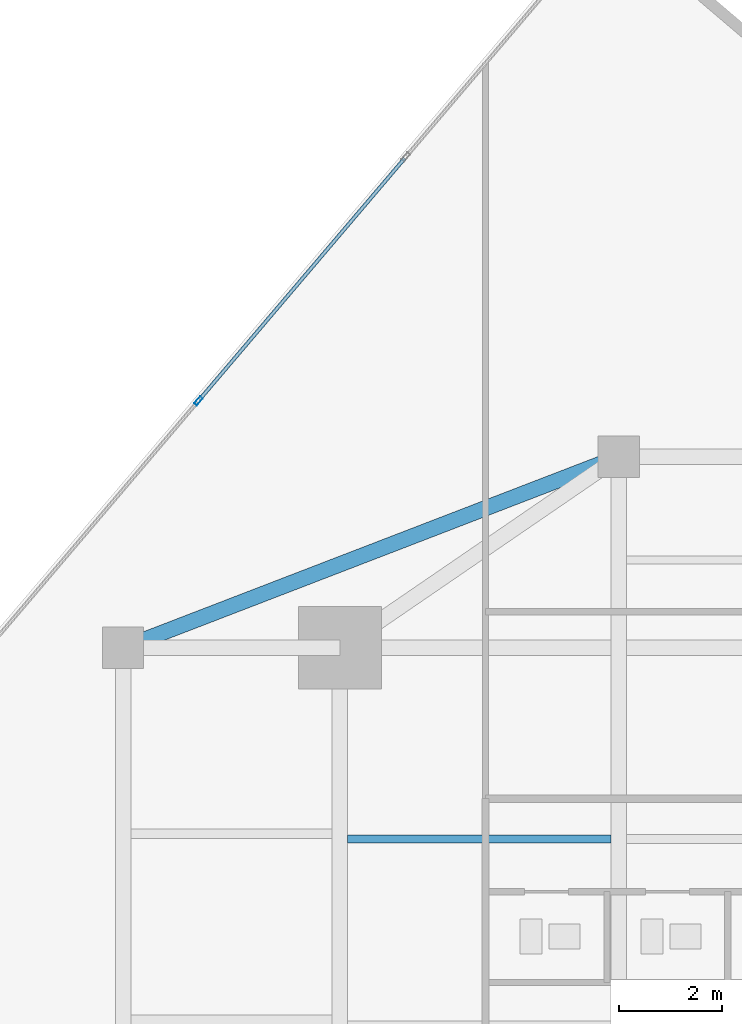
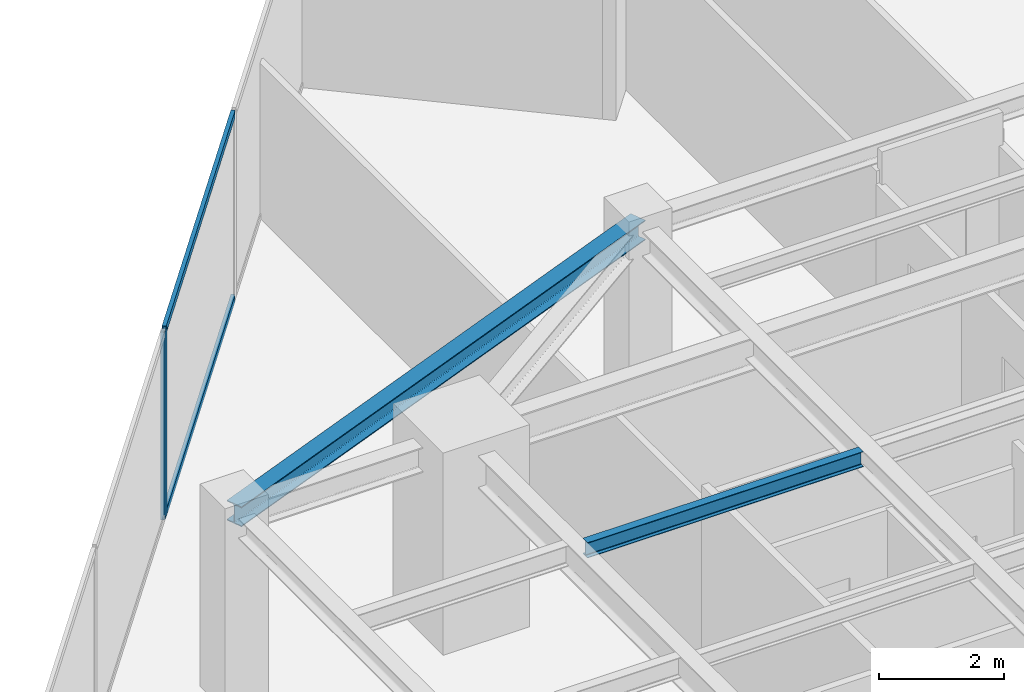
# One storey, part 15 of 25: 3 members, 2 beams, 1 element without a shape of its own.
"""IFC4 building model written with IfcOpenShell, lengths in metres."""

from ifc_helpers import new_model, si_unit, direction, frame, origin, origin_2d, place, context, subcontext, project, spatial, hollow_rectangle, i_section, extrude, source, transform, mapped, material, material_profile, profile_set, type_object, type_shapes, element, aggregate, save


model = new_model("IFC4")

# Units and contexts
model_context = context("Model", 3, precision=1e-05, world=origin(), true_north=direction((0.0, 1.0)))
body_context = subcontext(model_context, "Body", "Model", "MODEL_VIEW")
ifc_project = project(units=[si_unit("LENGTHUNIT", "METRE"), si_unit("AREAUNIT", "SQUARE_METRE"), si_unit("VOLUMEUNIT", "CUBIC_METRE"), si_unit("PLANEANGLEUNIT", "RADIAN"), si_unit("MASSUNIT", "GRAM", prefix="KILO")], contexts=[model_context])

# Site, building, storey
site_placement = place(None, origin())
site = spatial("IfcSite", under=ifc_project, at=site_placement, CompositionType="ELEMENT")
building_placement = place(site_placement, origin())
building = spatial("IfcBuilding", under=site, at=building_placement, Name="Krantzveldt Concourse Tower", CompositionType="ELEMENT")
storey_placement = place(building_placement, frame((0.0, 0.0, 211.25)))
storey = spatial("IfcBuildingStorey", under=building, at=storey_placement, Name="L51", CompositionType="ELEMENT", Elevation=211.25)

# Beams
ifc_material_1 = material(Name="Steel S355JR", Category="steel")
ifc_material_profile_1 = material_profile(ifc_material_1, i_section(OverallWidth=0.300048828125, OverallDepth=0.389892578125, WebThickness=0.010986328125, FlangeThickness=0.01904296875, FilletRadius=0.027099609375, at=origin_2d()), Name="Steel S355JR", Category="steel")
ifc_profile_set_1 = profile_set([ifc_material_profile_1], Name="Steel S355JR - HEA 400")
beam_type_1 = type_object("IfcBeamType", Name="BM-SP-HEA400", PredefinedType="SPANDREL", material=ifc_profile_set_1)
shared_shape_1 = source(origin(), body_context, "Body", "SweptSolid", [
    extrude(i_section(OverallWidth=0.300048828125, OverallDepth=0.389892578125, WebThickness=0.010986328125, FlangeThickness=0.01904296875, FilletRadius=0.027099609375, at=origin_2d()), origin(), (0.0, 0.0, 1.0), 10.288330078125),
])
type_shapes(beam_type_1, [shared_shape_1])
beam_1_placement = place(storey_placement, frame((21.0, 37.5, 3.47509765625), z_axis=(0.933097690408, 0.359622997257, 0.0), x_axis=(-0.359622997257, 0.933097690408, 0.0)))
element("IfcBeam", 1, at=beam_1_placement, inside=storey, type_object=beam_type_1, Name="L51 Tower Girder SP-R03", PredefinedType="SPANDREL", context=body_context, shape_type="MappedRepresentation", body=[
    mapped(shared_shape_1, transform((0.0, 0.0, 0.0), x_axis=(1.0, 0.0, 0.0), y_axis=(0.0, 1.0, 0.0), z_axis=(0.0, 0.0, 1.0), scale=1.0)),
])
ifc_material_profile_2 = material_profile(ifc_material_1, i_section(OverallWidth=0.14990234375, OverallDepth=0.300048828125, WebThickness=0.007080078125, FlangeThickness=0.0107421875, FilletRadius=0.014892578125, at=origin_2d()), Name="Steel S355JR", Category="steel")
ifc_profile_set_2 = profile_set([ifc_material_profile_2], Name="Steel S355JR - IPE 300")
beam_type_2 = type_object("IfcBeamType", Name="BM-J-IPE300", PredefinedType="JOIST", material=ifc_profile_set_2)
shared_shape_2 = source(origin(), body_context, "Body", "SweptSolid", [
    extrude(i_section(OverallWidth=0.14990234375, OverallDepth=0.300048828125, WebThickness=0.007080078125, FlangeThickness=0.0107421875, FilletRadius=0.014892578125, at=origin_2d()), origin(), (0.0, 0.0, 1.0), 5.099853515625),
])
type_shapes(beam_type_2, [shared_shape_2])
beam_2_placement = place(storey_placement, frame((25.35009765625, 33.800048828125, 3.52001953125), z_axis=(1.0, 0.0, 0.0), x_axis=(0.0, 1.0, 0.0)))
element("IfcBeam", 2, at=beam_2_placement, inside=storey, type_object=beam_type_2, Name="L51 Secondary Floor Joist JN-W2", PredefinedType="JOIST", context=body_context, shape_type="MappedRepresentation", body=[
    mapped(shared_shape_2, transform((0.0, 0.0, 0.0), x_axis=(1.0, 0.0, 0.0), y_axis=(0.0, 1.0, 0.0), z_axis=(0.0, 0.0, 1.0), scale=1.0)),
])

# Curtain wall, members
ifc_material_2 = material(Name="Anodised aluminium 6063-T6", Category="aluminium")
curtain_wall_type = type_object("IfcCurtainWallType", Name="CW3", PredefinedType="USERDEFINED", material=ifc_material_2)
curtain_wall_placement = place(storey_placement, origin())
curtain_wall = element("IfcCurtainWall", 3, at=curtain_wall_placement, inside=storey, type_object=curtain_wall_type, Name="CW-L51-F01", ObjectType="UNITISED CURTAIN WALL", PredefinedType="USERDEFINED")
ifc_material_profile_3 = material_profile(ifc_material_2, hollow_rectangle(XDim=0.070068359375, YDim=0.179931640625, WallThickness=0.0048828125, at=origin_2d()), Name="Anodised aluminium 6063-T6", Category="aluminium")
ifc_profile_set_3 = profile_set([ifc_material_profile_3], Name="Anodised aluminium 6063-T6 - ALU-MULL 180x70x5")
member_type_1 = type_object("IfcMemberType", Name="CW-MUL-180", PredefinedType="MULLION", material=ifc_profile_set_3)
shared_shape_3 = source(origin(), body_context, "Body", "SweptSolid", [
    extrude(hollow_rectangle(XDim=0.070068359375, YDim=0.179931640625, WallThickness=0.0048828125, at=origin_2d()), origin(), (0.0, 0.0, 1.0), 3.669921875),
])
type_shapes(member_type_1, [shared_shape_3])
member_1_placement = place(storey_placement, frame((22.45947265625, 42.282958984375, 0.0), z_axis=(0.0, 0.0, 1.0), x_axis=(0.761820912327, -0.647787694805, 0.0)))
member_1 = element("IfcMember", 4, at=member_1_placement, type_object=member_type_1, Name="CW-Z34 mullion 3", PredefinedType="MULLION", context=body_context, shape_type="MappedRepresentation", body=[
    mapped(shared_shape_3, transform((0.0, 0.0, 0.0), x_axis=(1.0, 0.0, 0.0), y_axis=(0.0, 1.0, 0.0), z_axis=(0.0, 0.0, 1.0), scale=1.0)),
])
ifc_material_profile_4 = material_profile(ifc_material_2, hollow_rectangle(XDim=0.070068359375, YDim=0.139892578125, WallThickness=0.0048828125, at=origin_2d()), Name="Anodised aluminium 6063-T6", Category="aluminium")
ifc_profile_set_4 = profile_set([ifc_material_profile_4], Name="Anodised aluminium 6063-T6 - ALU-TRAN 140x70x5")
member_type_2 = type_object("IfcMemberType", Name="CW-TRN-150", PredefinedType="USERDEFINED", material=ifc_profile_set_4)
shared_shape_4 = source(origin(), body_context, "Body", "SweptSolid", [
    extrude(hollow_rectangle(XDim=0.070068359375, YDim=0.139892578125, WallThickness=0.0048828125, at=origin_2d()), origin(), (0.0, 0.0, 1.0), 6.130126953125),
])
type_shapes(member_type_2, [shared_shape_4])
member_2_placement = place(storey_placement, frame((26.452880859375, 46.979736328125, 0.034912109375), z_axis=(-0.647772109575, -0.761834164406, 0.0), x_axis=(0.761834164406, -0.647772109575, 0.0)))
member_2 = element("IfcMember", 5, at=member_2_placement, type_object=member_type_2, Name="CW-Z34 transom 2.1", ObjectType="TRANSOM", PredefinedType="USERDEFINED", context=body_context, shape_type="MappedRepresentation", body=[
    mapped(shared_shape_4, transform((0.0, 0.0, 0.0), x_axis=(1.0, 0.0, 0.0), y_axis=(0.0, 1.0, 0.0), z_axis=(0.0, 0.0, 1.0), scale=1.0)),
])
member_3_placement = place(storey_placement, frame((26.452880859375, 46.979736328125, 3.635009765625), z_axis=(-0.647772109575, -0.761834164406, 0.0), x_axis=(0.761834164406, -0.647772109575, 0.0)))
member_3 = element("IfcMember", 6, at=member_3_placement, type_object=member_type_2, Name="CW-Z34 transom 2.2", ObjectType="TRANSOM", PredefinedType="USERDEFINED", context=body_context, shape_type="MappedRepresentation", body=[
    mapped(shared_shape_4, transform((0.0, 0.0, 0.0), x_axis=(1.0, 0.0, 0.0), y_axis=(0.0, 1.0, 0.0), z_axis=(0.0, 0.0, 1.0), scale=1.0)),
])
aggregate(curtain_wall, [member_1, member_2, member_3])

save(model, "model.ifc")
